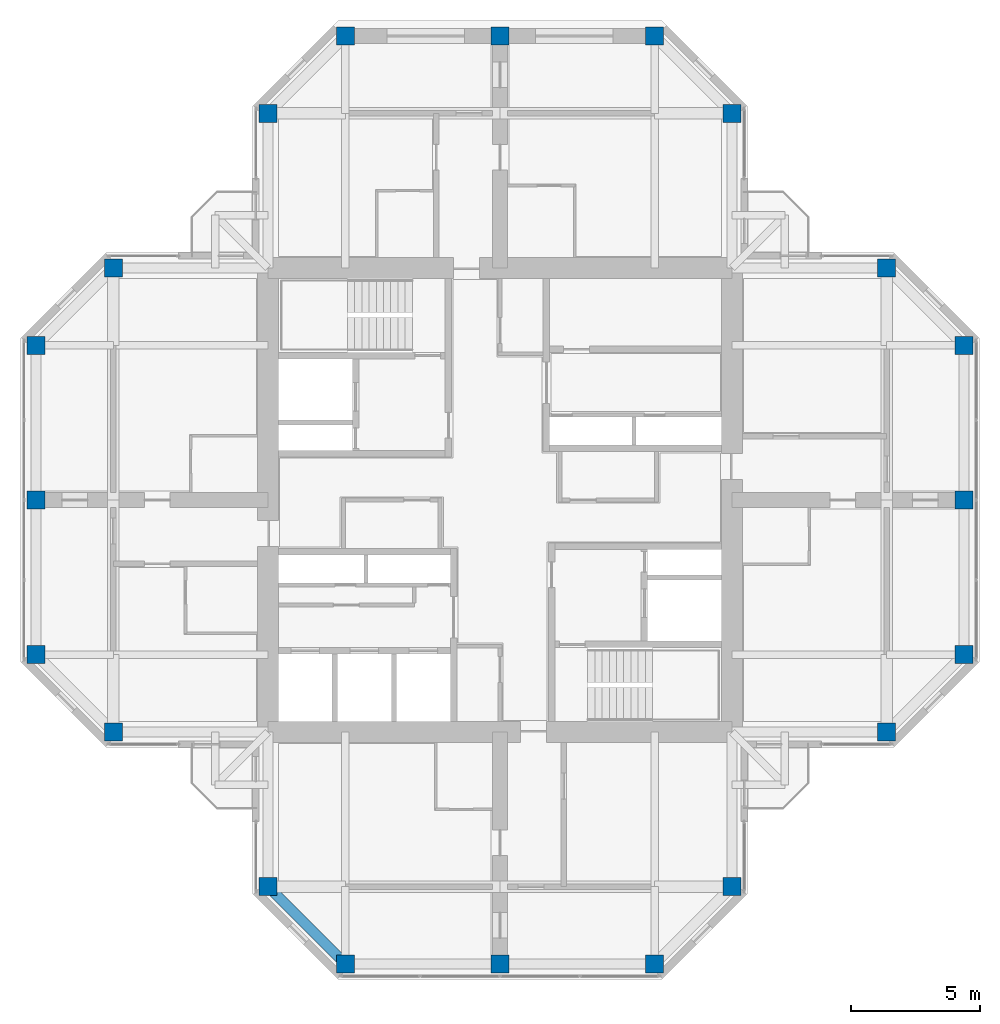
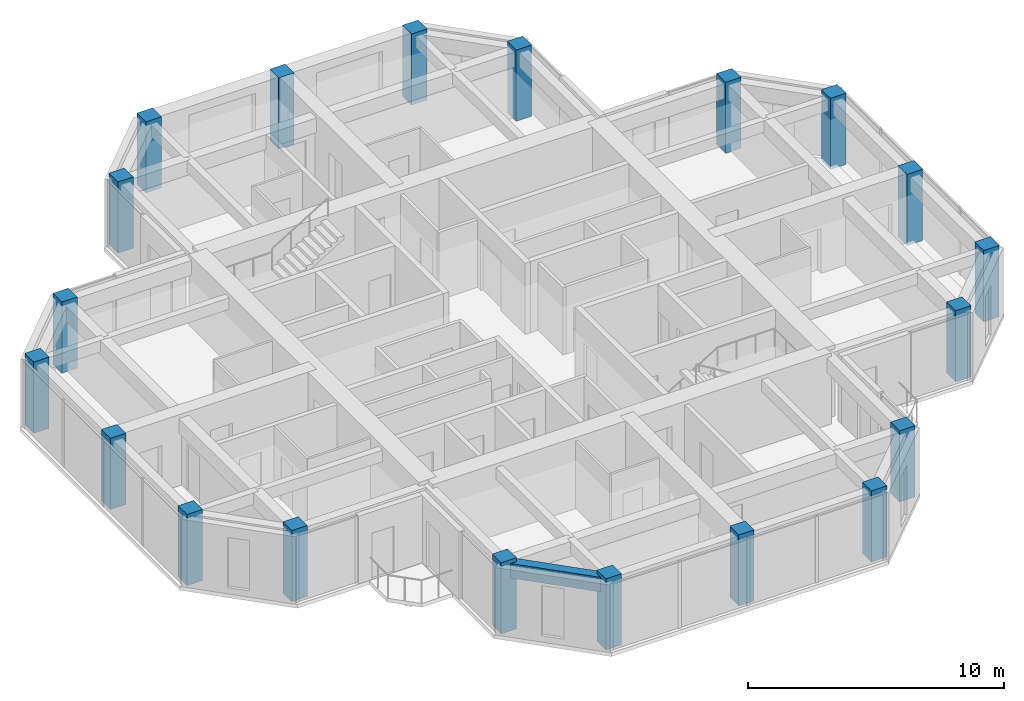
# One storey, part 1 of 13: 20 columns, 1 beam.
"""IFC4 building model written with IfcOpenShell, lengths in metres."""

from ifc_helpers import new_model, si_unit, direction, frame, origin, origin_2d, place, context, subcontext, project, spatial, rectangle, extrude, material, material_profile, profile_set, type_object, element, save


model = new_model("IFC4")

# Units and contexts
model_context = context("Model", 3, precision=1e-05, world=origin(), true_north=direction((0.0, 1.0)))
body_context = subcontext(model_context, "Body", "Model", "MODEL_VIEW")
ifc_project = project(units=[si_unit("LENGTHUNIT", "METRE"), si_unit("AREAUNIT", "SQUARE_METRE"), si_unit("VOLUMEUNIT", "CUBIC_METRE"), si_unit("PLANEANGLEUNIT", "RADIAN"), si_unit("MASSUNIT", "GRAM", prefix="KILO")], contexts=[model_context])

# Site, building, storey
site_placement = place(None, origin())
site = spatial("IfcSite", under=ifc_project, at=site_placement, CompositionType="ELEMENT")
building_placement = place(site_placement, origin())
building = spatial("IfcBuilding", under=site, at=building_placement, Name="Torre Cruceta", CompositionType="ELEMENT")
storey_placement = place(building_placement, frame((0.0, 0.0, 274.699951171875)))
storey = spatial("IfcBuildingStorey", under=building, at=storey_placement, Name="L71", CompositionType="ELEMENT", Elevation=274.699951171875)

# Columns
ifc_material_1 = material(Name="Concrete G60 (fck 60 MPa)", Category="concrete")
ifc_material_profile_1 = material_profile(ifc_material_1, rectangle(XDim=0.699951171875, YDim=0.699951171875, at=origin_2d()), Name="RC 700X700")
ifc_profile_set_1 = profile_set([ifc_material_profile_1], Name="Concrete G60 (fck 60 MPa)")
column_type = type_object("IfcColumnType", Name="COLUMN RC 700X700", PredefinedType="COLUMN", material=ifc_profile_set_1)
for number, where, z_axis, x_axis, name in (
    (1, (9.0, 15.0, 0.0), (0.0, 0.0, 1.0), (1.0, 0.0, 0.0), "C8 L71 N chamfer"),
    (2, (-9.0, 15.0, 0.0), (0.0, 0.0, 1.0), (1.0, 0.0, 0.0), "C8 L71 N chamfer"),
    (3, (6.0, 18.0, 0.0), (0.0, 0.0, 1.0), (1.0, 0.0, 0.0), "C8 L71 N tip"),
    (4, (0.0, 18.0, 0.0), (0.0, 0.0, 1.0), (1.0, 0.0, 0.0), "C8 L71 N tip"),
    (5, (-6.0, 18.0, 0.0), (0.0, 0.0, 1.0), (1.0, 0.0, 0.0), "C8 L71 N tip"),
    (6, (15.0, -9.0, 0.0), (0.0, 0.0, 1.0), (1.0, 0.0, 0.0), "C8 L71 E chamfer"),
    (7, (15.0, 9.0, 0.0), (0.0, 0.0, 1.0), (1.0, 0.0, 0.0), "C8 L71 E chamfer"),
    (8, (18.0, -6.0, 0.0), (0.0, 0.0, 1.0), (1.0, 0.0, 0.0), "C8 L71 E tip"),
    (9, (18.0, 0.0, 0.0), (0.0, 0.0, 1.0), (1.0, 0.0, 0.0), "C8 L71 E tip"),
    (10, (18.0, 6.0, 0.0), (0.0, 0.0, 1.0), (1.0, 0.0, 0.0), "C8 L71 E tip"),
    (11, (-9.0, -15.0, 0.0), (0.0, 0.0, 1.0), (1.0, 0.0, 0.0), "C8 L71 S chamfer"),
    (12, (9.0, -15.0, 0.0), (0.0, 0.0, 1.0), (1.0, 0.0, 0.0), "C8 L71 S chamfer"),
    (13, (-6.0, -18.0, 0.0), (0.0, 0.0, 1.0), (1.0, 0.0, 0.0), "C8 L71 S tip"),
    (14, (0.0, -18.0, 0.0), (0.0, 0.0, 1.0), (1.0, 0.0, 0.0), "C8 L71 S tip"),
    (15, (6.0, -18.0, 0.0), (0.0, 0.0, 1.0), (1.0, 0.0, 0.0), "C8 L71 S tip"),
    (16, (-15.0, 9.0, 0.0), (0.0, 0.0, 1.0), (1.0, 0.0, 0.0), "C8 L71 W chamfer"),
    (17, (-15.0, -9.0, 0.0), (0.0, 0.0, 1.0), (1.0, 0.0, 0.0), "C8 L71 W chamfer"),
    (18, (-18.0, 6.0, 0.0), (0.0, 0.0, 1.0), (1.0, 0.0, 0.0), "C8 L71 W tip"),
    (19, (-18.0, 0.0, 0.0), (0.0, 0.0, 1.0), (1.0, 0.0, 0.0), "C8 L71 W tip"),
    (20, (-18.0, -6.0, 0.0), (0.0, 0.0, 1.0), (1.0, 0.0, 0.0), "C8 L71 W tip"),
):
    element("IfcColumn", number, at=place(storey_placement, frame(where, z_axis=z_axis, x_axis=x_axis)), inside=storey, type_object=column_type, Name=name, PredefinedType="COLUMN", context=body_context, shape_type="SweptSolid", body=[
        extrude(rectangle(XDim=0.699951171875, YDim=0.699951171875, at=origin_2d()), origin(), (0.0, 0.0, 1.0), 3.400146484375),
    ])

# Beam
ifc_material_2 = material(Name="Concrete G60 (fck 60 MPa)", Category="concrete")
ifc_material_profile_2 = material_profile(ifc_material_2, rectangle(XDim=0.39990234375, YDim=0.699951171875, at=origin_2d()), Name="RC 400X700")
ifc_profile_set_2 = profile_set([ifc_material_profile_2], Name="Concrete G60 (fck 60 MPa)")
beam_type = type_object("IfcBeamType", Name="SPANDREL BEAM RC 400X700", PredefinedType="SPANDREL", material=ifc_profile_set_2)
beam_placement = place(storey_placement, frame((-9.0, -15.0, 2.8701171875), z_axis=(0.707106781187, -0.707106781187, 0.0), x_axis=(0.707106781187, 0.707106781187, 0.0)))
element("IfcBeam", 21, at=beam_placement, inside=storey, type_object=beam_type, Name="SB8 L71 S side- 2", PredefinedType="SPANDREL", context=body_context, shape_type="SweptSolid", body=[
    extrude(rectangle(XDim=0.39990234375, YDim=0.699951171875, at=origin_2d()), origin(), (0.0, 0.0, 1.0), 4.24267578125),
])

save(model, "model.ifc")
